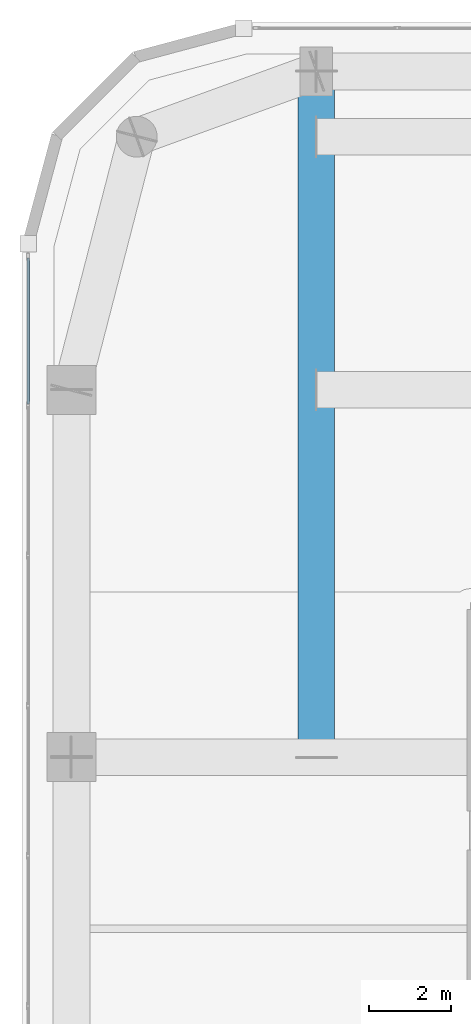
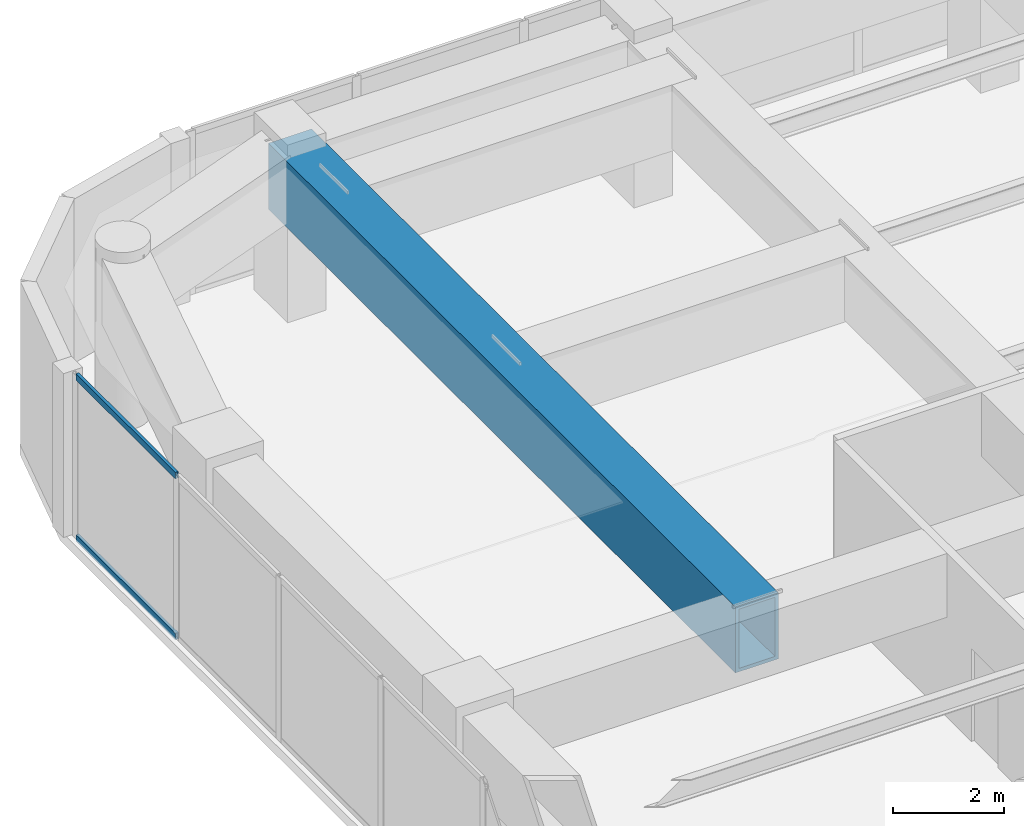
# One storey, part 14 of 30: 2 members, 1 beam, 1 element without a shape of its own.
"""IFC4 building model written with IfcOpenShell, lengths in metres."""

from ifc_helpers import new_model, si_unit, direction, frame, origin, origin_2d, place, context, subcontext, project, spatial, hollow_rectangle, extrude, material, layer, layer_set, material_profile, profile_set, type_object, element, aggregate, save


model = new_model("IFC4")

# Units and contexts
model_context = context("Model", 3, precision=1e-05, world=origin(), true_north=direction((0.0, 1.0)))
body_context = subcontext(model_context, "Body", "Model", "MODEL_VIEW")
ifc_project = project(units=[si_unit("LENGTHUNIT", "METRE"), si_unit("AREAUNIT", "SQUARE_METRE"), si_unit("VOLUMEUNIT", "CUBIC_METRE"), si_unit("PLANEANGLEUNIT", "RADIAN"), si_unit("MASSUNIT", "GRAM", prefix="KILO")], contexts=[model_context])

# Site, building, storey
site_placement = place(None, origin())
site = spatial("IfcSite", under=ifc_project, at=site_placement, CompositionType="ELEMENT")
building_placement = place(site_placement, origin())
building = spatial("IfcBuilding", under=site, at=building_placement, Name="Kiyonajd Concourse Tower", CompositionType="ELEMENT")
storey_placement = place(building_placement, frame((0.0, 0.0, 205.800048828125)))
storey = spatial("IfcBuildingStorey", under=building, at=storey_placement, Name="L52", CompositionType="ELEMENT", Elevation=205.800048828125)

# Beam
ifc_material_1 = material(Name="Steel ASTM A572 Grade 50", Category="steel")
ifc_material_profile_1 = material_profile(ifc_material_1, hollow_rectangle(XDim=0.89990234375, YDim=1.449951171875, WallThickness=0.074951171875, at=origin_2d()), Name="BOX-1450x900x75")
ifc_profile_set_1 = profile_set([ifc_material_profile_1], Name="Steel ASTM A572 Grade 50")
beam_type = type_object("IfcBeamType", Name="BM-XFER-1800", PredefinedType="BEAM", material=ifc_profile_set_1)
beam_placement = place(storey_placement, frame((25.199951171875, 44.39990234375, 2.875), z_axis=(0.0, 1.0, 0.0), x_axis=(-1.0, 0.0, 0.0)))
element("IfcBeam", 1, at=beam_placement, inside=storey, type_object=beam_type, Name="L52 North Lease Girder", PredefinedType="BEAM", context=body_context, shape_type="SweptSolid", body=[
    extrude(hollow_rectangle(XDim=0.89990234375, YDim=1.449951171875, WallThickness=0.074951171875, at=origin_2d()), origin(), (0.0, 0.0, 1.0), 16.800048828125),
])

# Curtain wall, members
ifc_material_2 = material(Name="Thermally Broken Anodised Aluminium", Category="aluminium")
ifc_layer = layer(ifc_material_2, 0.179931640625)
ifc_layer_set = layer_set([ifc_layer], Name="Thermally Broken Anodised Aluminium")
curtain_wall_type = type_object("IfcCurtainWallType", Name="CW-SYS-03", PredefinedType="NOTDEFINED", material=ifc_layer_set)
curtain_wall_placement = place(storey_placement, origin())
curtain_wall = element("IfcCurtainWall", 2, at=curtain_wall_placement, inside=storey, type_object=curtain_wall_type, Name="L52 Unitised Curtain Wall CW3", PredefinedType="NOTDEFINED")
ifc_material_profile_2 = material_profile(ifc_material_2, hollow_rectangle(XDim=0.06494140625, YDim=0.139892578125, WallThickness=0.00390625, at=origin_2d()), Name="TRAN-65x140")
ifc_profile_set_2 = profile_set([ifc_material_profile_2], Name="Thermally Broken Anodised Aluminium")
member_type = type_object("IfcMemberType", Name="MB-CW-TRAN1", PredefinedType="USERDEFINED", material=ifc_profile_set_2)
member_1_placement = place(storey_placement, frame((18.139892578125, 53.047119140625, 0.032470703125), z_axis=(0.0, 1.0, 0.0), x_axis=(-1.0, 0.0, 0.0)))
member_1 = element("IfcMember", 3, at=member_1_placement, type_object=member_type, Name="CW3 transom 6.1", ObjectType="TRANSOM", PredefinedType="USERDEFINED", context=body_context, shape_type="SweptSolid", body=[
    extrude(hollow_rectangle(XDim=0.06494140625, YDim=0.139892578125, WallThickness=0.00390625, at=origin_2d()), origin(), (0.0, 0.0, 1.0), 3.57958984375),
])
member_2_placement = place(storey_placement, frame((18.139892578125, 53.047119140625, 3.5673828125), z_axis=(0.0, 1.0, 0.0), x_axis=(-1.0, 0.0, 0.0)))
member_2 = element("IfcMember", 4, at=member_2_placement, type_object=member_type, Name="CW3 transom 6.2", ObjectType="TRANSOM", PredefinedType="USERDEFINED", context=body_context, shape_type="SweptSolid", body=[
    extrude(hollow_rectangle(XDim=0.06494140625, YDim=0.139892578125, WallThickness=0.00390625, at=origin_2d()), origin(), (0.0, 0.0, 1.0), 3.57958984375),
])
aggregate(curtain_wall, [member_1, member_2])

save(model, "model.ifc")
